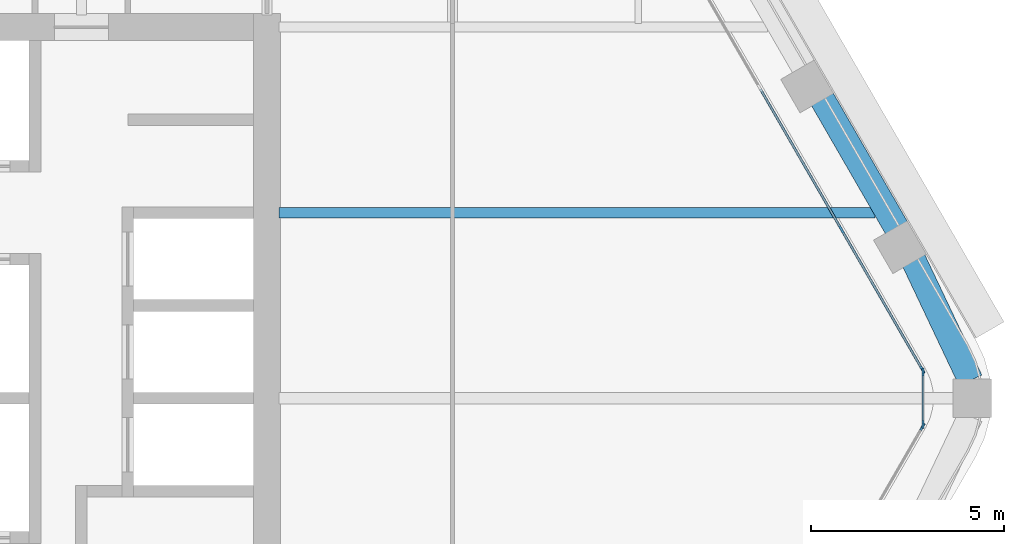
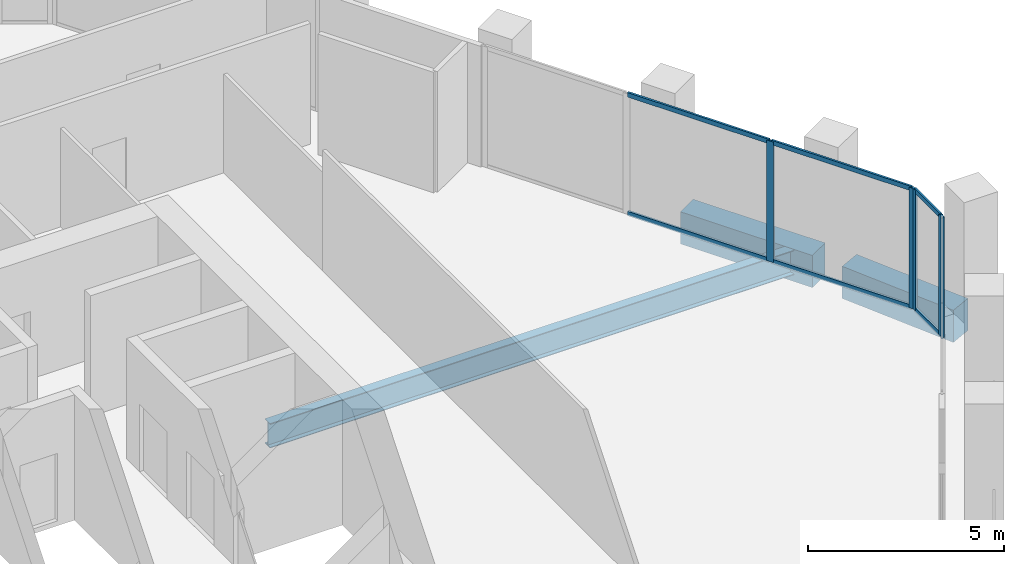
# One storey, part 5 of 18: 11 members, 3 beams, 3 elements without a shape of their own.
"""IFC4 building model written with IfcOpenShell, lengths in metres."""

from ifc_helpers import new_model, si_unit, direction, frame, origin, origin_2d, place, context, subcontext, project, spatial, rectangle, i_section, extrude, material, material_profile, profile_set, type_object, element, aggregate, save


model = new_model("IFC4")

# Units and contexts
model_context = context("Model", 3, precision=1e-05, world=origin(), true_north=direction((0.0, 1.0)))
body_context = subcontext(model_context, "Body", "Model", "MODEL_VIEW")
ifc_project = project(units=[si_unit("LENGTHUNIT", "METRE"), si_unit("AREAUNIT", "SQUARE_METRE"), si_unit("VOLUMEUNIT", "CUBIC_METRE"), si_unit("PLANEANGLEUNIT", "RADIAN"), si_unit("MASSUNIT", "GRAM", prefix="KILO")], contexts=[model_context])

# Site, building, storey
site_placement = place(None, origin())
site = spatial("IfcSite", under=ifc_project, at=site_placement, CompositionType="ELEMENT")
building_placement = place(site_placement, origin())
building = spatial("IfcBuilding", under=site, at=building_placement, Name="Kolab Exchange Tower", CompositionType="ELEMENT")
storey_placement = place(building_placement, frame((0.0, 0.0, 150.5)))
storey = spatial("IfcBuildingStorey", under=building, at=storey_placement, Name="L30", CompositionType="ELEMENT", Elevation=150.5)

# Beams
ifc_material_1 = material(Name="Steel S355", Category="steel")
ifc_material_profile_1 = material_profile(ifc_material_1, i_section(OverallWidth=0.26708984375, OverallDepth=0.761962890625, WebThickness=0.014404296875, FlangeThickness=0.021484375, at=origin_2d()), Name="W760X173")
ifc_profile_set_1 = profile_set([ifc_material_profile_1], Name="Steel S355")
beam_type_1 = type_object("IfcBeamType", Name="FLOOR BEAM W760X173", PredefinedType="BEAM", material=ifc_profile_set_1)
beam_1_placement = place(storey_placement, frame((9.909912109375, 4.800048828125, -0.531005859375), z_axis=(1.0, 0.0, 0.0), x_axis=(0.0, 1.0, 0.0)))
element("IfcBeam", 1, at=beam_1_placement, inside=storey, type_object=beam_type_1, Name="beam/L30/fr/024", PredefinedType="BEAM", context=body_context, shape_type="SweptSolid", body=[
    extrude(i_section(OverallWidth=0.26708984375, OverallDepth=0.761962890625, WebThickness=0.014404296875, FlangeThickness=0.021484375, at=origin_2d()), origin(), (0.0, 0.0, 1.0), 15.408203125),
])
ifc_material_2 = material(Name="Concrete C60/75", Category="concrete")
ifc_material_profile_2 = material_profile(ifc_material_2, rectangle(XDim=0.64990234375, YDim=1.0, at=origin_2d()), Name="RC650X1000")
ifc_profile_set_2 = profile_set([ifc_material_profile_2], Name="Concrete C60/75")
beam_type_2 = type_object("IfcBeamType", Name="SPANDREL BEAM 650X1000 C60/75", PredefinedType="BEAM", material=ifc_profile_set_2)
beam_2_placement = place(storey_placement, frame((23.948486328125, 7.7529296875, -0.64990234375), z_axis=(0.499996613652, -0.866027358884, 0.0), x_axis=(0.866027358884, 0.499996613652, 0.0)))
element("IfcBeam", 2, at=beam_2_placement, inside=storey, type_object=beam_type_2, Name="beam/L30/sp/F2-05", PredefinedType="BEAM", context=body_context, shape_type="SweptSolid", body=[
    extrude(rectangle(XDim=0.64990234375, YDim=1.0, at=origin_2d()), origin(), (0.0, 0.0, 1.0), 3.8798828125),
])
beam_3_placement = place(storey_placement, frame((26.316162109375, 3.5771484375, -0.64990234375), z_axis=(0.428177731975, -0.903694544545, 0.0), x_axis=(0.903694544545, 0.428177731975, 0.0)))
element("IfcBeam", 3, at=beam_3_placement, inside=storey, type_object=beam_type_2, Name="beam/L30/sp/F2-06", PredefinedType="BEAM", context=body_context, shape_type="SweptSolid", body=[
    extrude(rectangle(XDim=0.64990234375, YDim=1.0, at=origin_2d()), origin(), (0.0, 0.0, 1.0), 3.445068359375),
])

# Curtain wall, members
ifc_material_3 = material(Name="Aluminium EN AW-6063 T6", Category="aluminium")
curtain_wall_type = type_object("IfcCurtainWallType", Name="UNITISED UPPER MID ZONE CURTAIN WALL", PredefinedType="NOTDEFINED", material=ifc_material_3)
curtain_wall_1_placement = place(storey_placement, origin())
curtain_wall_1 = element("IfcCurtainWall", 4, at=curtain_wall_1_placement, inside=storey, type_object=curtain_wall_type, Name="cw/L30/F2-2", PredefinedType="NOTDEFINED")
ifc_material_profile_3 = material_profile(ifc_material_3, rectangle(XDim=0.06005859375, YDim=0.199951171875, at=origin_2d()), Name="RECT 60X200")
ifc_profile_set_3 = profile_set([ifc_material_profile_3], Name="Aluminium EN AW-6063 T6")
member_type_1 = type_object("IfcMemberType", Name="UNITISED UPPER MID ZONE MULLION 60 X 200", PredefinedType="MULLION", material=ifc_profile_set_3)
member_1_placement = place(storey_placement, frame((24.454345703125, 4.366943359375, 0.0), z_axis=(0.0, 0.0, 1.0), x_axis=(0.866025427826, 0.499999958358, 0.0)))
member_1 = element("IfcMember", 5, at=member_1_placement, type_object=member_type_1, Name="CW3 mullion 3", PredefinedType="MULLION", context=body_context, shape_type="SweptSolid", body=[
    extrude(rectangle(XDim=0.06005859375, YDim=0.199951171875, at=origin_2d()), origin(), (0.0, 0.0, 1.0), 3.75),
])
member_2_placement = place(storey_placement, frame((26.550537109375, 0.736083984375, 0.0), z_axis=(0.0, 0.0, 1.0), x_axis=(0.866025427826, 0.499999958358, 0.0)))
member_2 = element("IfcMember", 6, at=member_2_placement, type_object=member_type_1, Name="CW3 mullion 4", PredefinedType="MULLION", context=body_context, shape_type="SweptSolid", body=[
    extrude(rectangle(XDim=0.06005859375, YDim=0.199951171875, at=origin_2d()), origin(), (0.0, 0.0, 1.0), 3.75),
])

# Curtain wall, member
curtain_wall_2_placement = place(storey_placement, origin())
curtain_wall_2 = element("IfcCurtainWall", 7, at=curtain_wall_2_placement, inside=storey, type_object=curtain_wall_type, Name="cw/L30/F3-1", PredefinedType="NOTDEFINED")
member_3_placement = place(storey_placement, frame((26.550537109375, -0.736083984375, 0.0), z_axis=(0.0, 0.0, 1.0), x_axis=(0.866025440524, -0.499999936366, 0.0)))
member_3 = element("IfcMember", 8, at=member_3_placement, type_object=member_type_1, Name="CW3 mullion 1", PredefinedType="MULLION", context=body_context, shape_type="SweptSolid", body=[
    extrude(rectangle(XDim=0.06005859375, YDim=0.199951171875, at=origin_2d()), origin(), (0.0, 0.0, 1.0), 3.75),
])
aggregate(curtain_wall_2, [member_3])

# Curtain wall, members
curtain_wall_3_placement = place(storey_placement, origin())
curtain_wall_3 = element("IfcCurtainWall", 9, at=curtain_wall_3_placement, inside=storey, type_object=curtain_wall_type, Name="cw/L30/F2F3-corner", PredefinedType="NOTDEFINED")
member_4_placement = place(storey_placement, frame((26.565673828125, 0.679931640625, 0.0), z_axis=(0.0, 0.0, 1.0), x_axis=(1.0, 0.0, 0.0)))
member_4 = element("IfcMember", 10, at=member_4_placement, type_object=member_type_1, Name="CW3 mullion 1", PredefinedType="MULLION", context=body_context, shape_type="SweptSolid", body=[
    extrude(rectangle(XDim=0.06005859375, YDim=0.199951171875, at=origin_2d()), origin(), (0.0, 0.0, 1.0), 3.75),
])
member_5_placement = place(storey_placement, frame((26.565673828125, -0.679931640625, 0.0), z_axis=(0.0, 0.0, 1.0), x_axis=(1.0, 0.0, 0.0)))
member_5 = element("IfcMember", 11, at=member_5_placement, type_object=member_type_1, Name="CW3 mullion 2", PredefinedType="MULLION", context=body_context, shape_type="SweptSolid", body=[
    extrude(rectangle(XDim=0.06005859375, YDim=0.199951171875, at=origin_2d()), origin(), (0.0, 0.0, 1.0), 3.75),
])

# Member
ifc_material_profile_4 = material_profile(ifc_material_3, rectangle(XDim=0.06005859375, YDim=0.139892578125, at=origin_2d()), Name="RECT 60X140")
ifc_profile_set_4 = profile_set([ifc_material_profile_4], Name="Aluminium EN AW-6063 T6")
member_type_2 = type_object("IfcMemberType", Name="UNITISED UPPER MID ZONE TRANSOM 60 X 140", PredefinedType="USERDEFINED", material=ifc_profile_set_4)
member_6_placement = place(storey_placement, frame((22.35791015625, 7.997802734375, 0.030029296875), z_axis=(0.49999322259, -0.866029316688, 0.0), x_axis=(0.866029316688, 0.49999322259, 0.0)))
member_6 = element("IfcMember", 12, at=member_6_placement, type_object=member_type_2, Name="CW3 transom 2.1", ObjectType="TRANSOM", PredefinedType="USERDEFINED", context=body_context, shape_type="SweptSolid", body=[
    extrude(rectangle(XDim=0.06005859375, YDim=0.139892578125, at=origin_2d()), origin(), (0.0, 0.0, 1.0), 4.16259765625),
])

member_7_placement = place(storey_placement, frame((22.35791015625, 7.997802734375, 3.719970703125), z_axis=(0.49999322259, -0.866029316688, 0.0), x_axis=(0.866029316688, 0.49999322259, 0.0)))
member_7 = element("IfcMember", 13, at=member_7_placement, type_object=member_type_2, Name="CW3 transom 2.2", ObjectType="TRANSOM", PredefinedType="USERDEFINED", context=body_context, shape_type="SweptSolid", body=[
    extrude(rectangle(XDim=0.06005859375, YDim=0.139892578125, at=origin_2d()), origin(), (0.0, 0.0, 1.0), 4.16259765625),
])

member_8_placement = place(storey_placement, frame((24.46923828125, 4.3408203125, 0.030029296875), z_axis=(0.500027577057, -0.866009481578, 0.0), x_axis=(0.866009481578, 0.500027577057, 0.0)))
member_8 = element("IfcMember", 14, at=member_8_placement, type_object=member_type_2, Name="CW3 transom 3.1", ObjectType="TRANSOM", PredefinedType="USERDEFINED", context=body_context, shape_type="SweptSolid", body=[
    extrude(rectangle(XDim=0.06005859375, YDim=0.139892578125, at=origin_2d()), origin(), (0.0, 0.0, 1.0), 4.132568359375),
])

member_9_placement = place(storey_placement, frame((24.46923828125, 4.3408203125, 3.719970703125), z_axis=(0.500027577057, -0.866009481578, 0.0), x_axis=(0.866009481578, 0.500027577057, 0.0)))
member_9 = element("IfcMember", 15, at=member_9_placement, type_object=member_type_2, Name="CW3 transom 3.2", ObjectType="TRANSOM", PredefinedType="USERDEFINED", context=body_context, shape_type="SweptSolid", body=[
    extrude(rectangle(XDim=0.06005859375, YDim=0.139892578125, at=origin_2d()), origin(), (0.0, 0.0, 1.0), 4.132568359375),
])

aggregate(curtain_wall_1, [member_1, member_2, member_6, member_7, member_8, member_9])

member_10_placement = place(storey_placement, frame((26.565673828125, 0.64990234375, 0.030029296875), z_axis=(0.0, -1.0, 0.0), x_axis=(1.0, 0.0, 0.0)))
member_10 = element("IfcMember", 16, at=member_10_placement, type_object=member_type_2, Name="CW3 transom 1.1", ObjectType="TRANSOM", PredefinedType="USERDEFINED", context=body_context, shape_type="SweptSolid", body=[
    extrude(rectangle(XDim=0.06005859375, YDim=0.139892578125, at=origin_2d()), origin(), (0.0, 0.0, 1.0), 1.2998046875),
])

member_11_placement = place(storey_placement, frame((26.565673828125, 0.64990234375, 3.719970703125), z_axis=(0.0, -1.0, 0.0), x_axis=(1.0, 0.0, 0.0)))
member_11 = element("IfcMember", 17, at=member_11_placement, type_object=member_type_2, Name="CW3 transom 1.2", ObjectType="TRANSOM", PredefinedType="USERDEFINED", context=body_context, shape_type="SweptSolid", body=[
    extrude(rectangle(XDim=0.06005859375, YDim=0.139892578125, at=origin_2d()), origin(), (0.0, 0.0, 1.0), 1.2998046875),
])

aggregate(curtain_wall_3, [member_4, member_5, member_10, member_11])

save(model, "model.ifc")
